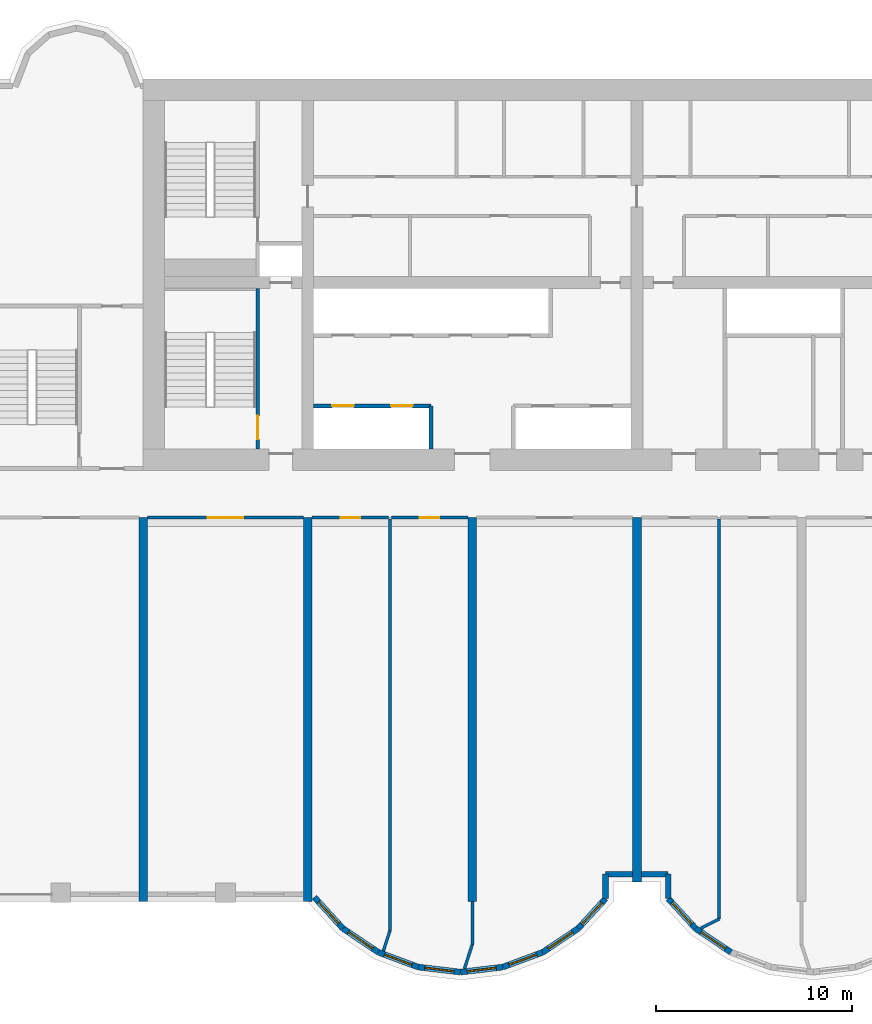
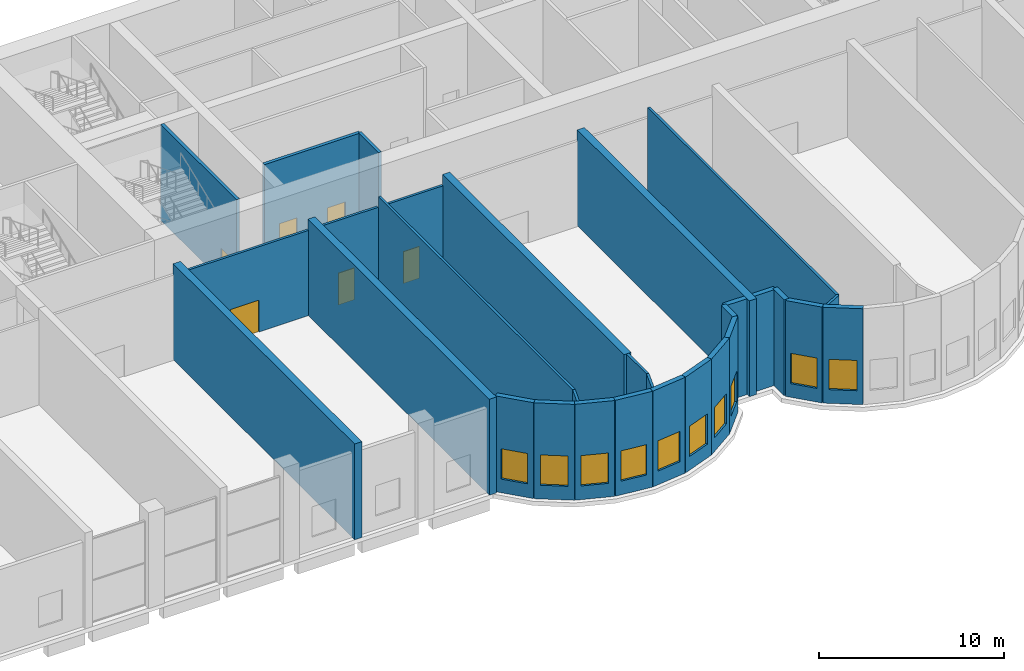
# One storey, part 7 of 15: 30 walls, 10 windows, 6 doors, 16 openings.
"""IFC4 building model written with IfcOpenShell, lengths in metres."""

from ifc_helpers import new_model, si_unit, direction, frame, frame_2d, origin, place, context, subcontext, project, spatial, rectangle, extrude, source, transform, mapped, material, layer, layer_set, type_object, element, fill, save


model = new_model("IFC4")

# Units and contexts
model_context = context("Model", 3, precision=1e-05, world=origin(), true_north=direction((0.0, 1.0)))
body_context = subcontext(model_context, "Body", "Model", "MODEL_VIEW")
ifc_project = project(units=[si_unit("LENGTHUNIT", "METRE"), si_unit("AREAUNIT", "SQUARE_METRE"), si_unit("VOLUMEUNIT", "CUBIC_METRE"), si_unit("PLANEANGLEUNIT", "RADIAN"), si_unit("MASSUNIT", "GRAM", prefix="KILO")], contexts=[model_context])

# Site, building, storey
site_placement = place(None, origin())
site = spatial("IfcSite", under=ifc_project, at=site_placement, CompositionType="ELEMENT")
building_placement = place(site_placement, origin())
building = spatial("IfcBuilding", under=site, at=building_placement, Name="Vanashikhar Sky Hotel", CompositionType="ELEMENT")
storey_placement = place(building_placement, frame((0.0, 0.0, 11.39990234375)))
storey = spatial("IfcBuildingStorey", under=building, at=storey_placement, Name="L02", CompositionType="ELEMENT", Elevation=11.39990234375)

# Walls
ifc_material_1 = material(Name="Concrete M80", Category="concrete")
ifc_layer_1 = layer(ifc_material_1, 0.449951171875)
ifc_layer_set_1 = layer_set([ifc_layer_1], Name="RC shear wall 450 Concrete M80")
wall_type_1 = type_object("IfcWallType", Name="RC shear wall 450 Concrete M80", PredefinedType="SHEAR", material=ifc_layer_set_1)
shared_shape_1 = source(origin(), body_context, "Body", "SweptSolid", [
    extrude(rectangle(XDim=19.60009765625, YDim=0.449951171875, at=frame_2d((9.800048828125, 0.0))), origin(), (0.0, 0.0, 1.0), 6.320068359375),
])
for number, where, z_axis, x_axis, name in (
    (1, (25.199951171875, 0.0, 0.0), (0.0, 0.0, 1.0), (0.0, 1.0, 0.0), "CW-L02-XW04-1"),
    (2, (33.60009765625, 0.0, 0.0), (0.0, 0.0, 1.0), (0.0, 1.0, 0.0), "CW-L02-XW05-1"),
    (3, (42.0, 0.0, 0.0), (0.0, 0.0, 1.0), (0.0, 1.0, 0.0), "CW-L02-XW06-1"),
):
    element("IfcWall", number, at=place(storey_placement, frame(where, z_axis=z_axis, x_axis=x_axis)), inside=storey, type_object=wall_type_1, Name=name, PredefinedType="SHEAR", context=body_context, shape_type="MappedRepresentation", body=[
        mapped(shared_shape_1, transform((0.0, 0.0, 0.0), scale=1.0)),
    ])
shared_shape_2 = source(origin(), body_context, "Body", "SweptSolid", [
    extrude(rectangle(XDim=18.60009765625, YDim=0.449951171875, at=frame_2d((9.300048828125, 0.0))), origin(), (0.0, 0.0, 1.0), 6.320068359375),
])
wall_1_placement = place(storey_placement, frame((50.39990234375, 1.0, 0.0), z_axis=(0.0, 0.0, 1.0), x_axis=(0.0, 1.0, 0.0)))
element("IfcWall", 4, at=wall_1_placement, inside=storey, type_object=wall_type_1, Name="CW-L02-XW07-1", PredefinedType="SHEAR", context=body_context, shape_type="MappedRepresentation", body=[
    mapped(shared_shape_2, transform((0.0, 0.0, 0.0), scale=1.0)),
])
ifc_material_2 = material(Name="Concrete M50", Category="concrete")
ifc_layer_2 = layer(ifc_material_2, 0.300048828125)
ifc_layer_set_2 = layer_set([ifc_layer_2], Name="Lobe wall 300")
wall_type_2 = type_object("IfcWallType", Name="Lobe wall 300", PredefinedType="SOLIDWALL", material=ifc_layer_set_2)
shared_shape_3 = source(origin(), body_context, "Body", "SweptSolid", [
    extrude(rectangle(XDim=1.244384765625, YDim=0.300048828125, at=frame_2d((0.6220703125, 0.0))), origin(), (0.0, 0.0, 1.0), 6.320068359375),
])
for number, where, z_axis, x_axis, name in (
    (5, (48.800048828125, 0.155517578125, 0.0), (0.0, 0.0, 1.0), (0.0, 1.0, 0.0), "Groove wall"),
    (6, (52.0, 1.39990234375, 0.0), (0.0, 0.0, 1.0), (0.0, -1.0, 0.0), "Groove wall"),
):
    element("IfcWall", number, at=place(storey_placement, frame(where, z_axis=z_axis, x_axis=x_axis)), inside=storey, type_object=wall_type_2, Name=name, PredefinedType="SOLIDWALL", context=body_context, shape_type="MappedRepresentation", body=[
        mapped(shared_shape_3, transform((0.0, 0.0, 0.0), scale=1.0)),
    ])
shared_shape_4 = source(origin(), body_context, "Body", "SweptSolid", [
    extrude(rectangle(XDim=1.375, YDim=0.300048828125, at=frame_2d((0.6875, 0.0))), origin(), (0.0, 0.0, 1.0), 6.320068359375),
])
for number, where, z_axis, x_axis, name in (
    (7, (48.800048828125, 1.39990234375, 0.0), (0.0, 0.0, 1.0), (1.0, 0.0, 0.0), "Groove wall"),
    (8, (50.625, 1.39990234375, 0.0), (0.0, 0.0, 1.0), (1.0, 0.0, 0.0), "Groove wall"),
):
    element("IfcWall", number, at=place(storey_placement, frame(where, z_axis=z_axis, x_axis=x_axis)), inside=storey, type_object=wall_type_2, Name=name, PredefinedType="SOLIDWALL", context=body_context, shape_type="MappedRepresentation", body=[
        mapped(shared_shape_4, transform((0.0, 0.0, 0.0), scale=1.0)),
    ])

# Wall, opening, window
shared_shape_5 = source(origin(), body_context, "Body", "SweptSolid", [
    extrude(rectangle(XDim=2.066650390625, YDim=0.300048828125, at=frame_2d((1.033203125, 0.0))), origin(), (0.0, 0.0, 1.0), 6.320068359375),
])
wall_2_placement = place(storey_placement, frame((52.0, 0.155517578125, 0.0), z_axis=(0.0, 0.0, 1.0), x_axis=(0.675355439877, -0.737492393065, 0.0)))
wall_2 = element("IfcWall", 9, at=wall_2_placement, inside=storey, type_object=wall_type_2, Name="Lobe wall", PredefinedType="SOLIDWALL", context=body_context, shape_type="MappedRepresentation", body=[
    mapped(shared_shape_5, transform((0.0, 0.0, 0.0), scale=1.0)),
])
shared_shape_6 = source(origin(), body_context, "Body", "SweptSolid", [
    extrude(rectangle(XDim=1.5, YDim=2.0, at=frame_2d((0.75, 1.0))), frame((0.0, 0.16015625, 0.0), z_axis=(0.0, -1.0, 0.0), x_axis=(1.0, 0.0, 0.0)), (0.0, 0.0, 1.0), 0.320068359375),
])
opening_1_placement = place(wall_2_placement, frame((0.283203125, 0.0, 0.89990234375)))
opening_1 = element("IfcOpeningElement", 10, at=opening_1_placement, cuts=wall_2, Name="Opening WN-2", PredefinedType="OPENING", context=body_context, shape_type="MappedRepresentation", body=[
    mapped(shared_shape_6, transform((0.0, 0.0, 0.0), scale=1.0)),
])
ifc_material_3 = material(Name="Glass", Category="glass")
window_type = type_object("IfcWindowType", Name="Lobe window 1500 x 2000", PartitioningType="SINGLE_PANEL", PredefinedType="WINDOW", material=ifc_material_3)
shared_shape_7 = source(origin(), body_context, "Body", "SweptSolid", [
    extrude(rectangle(XDim=1.5, YDim=2.0, at=frame_2d((0.75, 1.0))), frame((0.0, 0.030029296875, 0.0), z_axis=(0.0, -1.0, 0.0), x_axis=(1.0, 0.0, 0.0)), (0.0, 0.0, 1.0), 0.06005859375),
])
window_1_placement = place(opening_1_placement, origin())
window_1 = element("IfcWindow", 11, at=window_1_placement, inside=storey, type_object=window_type, Name="Window WN-2", OverallHeight=2.0, OverallWidth=1.5, PartitioningType="SINGLE_PANEL", PredefinedType="WINDOW", context=body_context, shape_type="MappedRepresentation", body=[
    mapped(shared_shape_7, transform((0.0, 0.0, 0.0), scale=1.0)),
])
fill(opening_1, window_1)

wall_3_placement = place(storey_placement, frame((47.404296875, -1.36865234375, 0.0), z_axis=(0.0, 0.0, 1.0), x_axis=(0.675355439877, 0.737492393065, 0.0)))
wall_3 = element("IfcWall", 12, at=wall_3_placement, inside=storey, type_object=wall_type_2, Name="Lobe wall", PredefinedType="SOLIDWALL", context=body_context, shape_type="MappedRepresentation", body=[
    mapped(shared_shape_5, transform((0.0, 0.0, 0.0), scale=1.0)),
])
opening_2_placement = place(wall_3_placement, frame((0.283203125, 0.0, 0.89990234375)))
opening_2 = element("IfcOpeningElement", 13, at=opening_2_placement, cuts=wall_3, Name="Opening WN-2", PredefinedType="OPENING", context=body_context, shape_type="MappedRepresentation", body=[
    mapped(shared_shape_6, transform((0.0, 0.0, 0.0), scale=1.0)),
])
window_2_placement = place(opening_2_placement, origin())
window_2 = element("IfcWindow", 14, at=window_2_placement, inside=storey, type_object=window_type, Name="Window WN-2", OverallHeight=2.0, OverallWidth=1.5, PartitioningType="SINGLE_PANEL", PredefinedType="WINDOW", context=body_context, shape_type="MappedRepresentation", body=[
    mapped(shared_shape_7, transform((0.0, 0.0, 0.0), scale=1.0)),
])
fill(opening_2, window_2)

shared_shape_8 = source(origin(), body_context, "Body", "SweptSolid", [
    extrude(rectangle(XDim=2.17578125, YDim=0.300048828125, at=frame_2d((1.087890625, 0.0))), origin(), (0.0, 0.0, 1.0), 6.320068359375),
])
wall_4_placement = place(storey_placement, frame((53.395751953125, -1.36865234375, 0.0), z_axis=(0.0, 0.0, 1.0), x_axis=(0.829590746428, -0.558371913192, 0.0)))
wall_4 = element("IfcWall", 15, at=wall_4_placement, inside=storey, type_object=wall_type_2, Name="Lobe wall", PredefinedType="SOLIDWALL", context=body_context, shape_type="MappedRepresentation", body=[
    mapped(shared_shape_8, transform((0.0, 0.0, 0.0), scale=1.0)),
])
opening_3_placement = place(wall_4_placement, frame((0.337890625, 0.0, 0.89990234375)))
opening_3 = element("IfcOpeningElement", 16, at=opening_3_placement, cuts=wall_4, Name="Opening WN-2", PredefinedType="OPENING", context=body_context, shape_type="MappedRepresentation", body=[
    mapped(shared_shape_6, transform((0.0, 0.0, 0.0), scale=1.0)),
])
window_3_placement = place(opening_3_placement, origin())
window_3 = element("IfcWindow", 17, at=window_3_placement, inside=storey, type_object=window_type, Name="Window WN-2", OverallHeight=2.0, OverallWidth=1.5, PartitioningType="SINGLE_PANEL", PredefinedType="WINDOW", context=body_context, shape_type="MappedRepresentation", body=[
    mapped(shared_shape_7, transform((0.0, 0.0, 0.0), scale=1.0)),
])
fill(opening_3, window_3)

wall_5_placement = place(storey_placement, frame((35.395751953125, -1.36865234375, 0.0), z_axis=(0.0, 0.0, 1.0), x_axis=(0.829590746428, -0.558371913192, 0.0)))
wall_5 = element("IfcWall", 18, at=wall_5_placement, inside=storey, type_object=wall_type_2, Name="Lobe wall", PredefinedType="SOLIDWALL", context=body_context, shape_type="MappedRepresentation", body=[
    mapped(shared_shape_8, transform((0.0, 0.0, 0.0), scale=1.0)),
])
opening_4_placement = place(wall_5_placement, frame((0.337890625, 0.0, 0.89990234375)))
opening_4 = element("IfcOpeningElement", 19, at=opening_4_placement, cuts=wall_5, Name="Opening WN-2", PredefinedType="OPENING", context=body_context, shape_type="MappedRepresentation", body=[
    mapped(shared_shape_6, transform((0.0, 0.0, 0.0), scale=1.0)),
])
window_4_placement = place(opening_4_placement, origin())
window_4 = element("IfcWindow", 20, at=window_4_placement, inside=storey, type_object=window_type, Name="Window WN-2", OverallHeight=2.0, OverallWidth=1.5, PartitioningType="SINGLE_PANEL", PredefinedType="WINDOW", context=body_context, shape_type="MappedRepresentation", body=[
    mapped(shared_shape_7, transform((0.0, 0.0, 0.0), scale=1.0)),
])
fill(opening_4, window_4)

wall_6_placement = place(storey_placement, frame((37.20068359375, -2.58349609375, 0.0), z_axis=(0.0, 0.0, 1.0), x_axis=(0.93754555999, -0.347862505801, 0.0)))
wall_6 = element("IfcWall", 21, at=wall_6_placement, inside=storey, type_object=wall_type_2, Name="Lobe wall", PredefinedType="SOLIDWALL", context=body_context, shape_type="MappedRepresentation", body=[
    mapped(shared_shape_8, transform((0.0, 0.0, 0.0), scale=1.0)),
])
opening_5_placement = place(wall_6_placement, frame((0.337890625, 0.0, 0.89990234375)))
opening_5 = element("IfcOpeningElement", 22, at=opening_5_placement, cuts=wall_6, Name="Opening WN-2", PredefinedType="OPENING", context=body_context, shape_type="MappedRepresentation", body=[
    mapped(shared_shape_6, transform((0.0, 0.0, 0.0), scale=1.0)),
])
window_5_placement = place(opening_5_placement, origin())
window_5 = element("IfcWindow", 23, at=window_5_placement, inside=storey, type_object=window_type, Name="Window WN-2", OverallHeight=2.0, OverallWidth=1.5, PartitioningType="SINGLE_PANEL", PredefinedType="WINDOW", context=body_context, shape_type="MappedRepresentation", body=[
    mapped(shared_shape_7, transform((0.0, 0.0, 0.0), scale=1.0)),
])
fill(opening_5, window_5)

wall_7_placement = place(storey_placement, frame((45.59912109375, -2.58349609375, 0.0), z_axis=(0.0, 0.0, 1.0), x_axis=(0.829625727223, 0.558319937607, 0.0)))
wall_7 = element("IfcWall", 24, at=wall_7_placement, inside=storey, type_object=wall_type_2, Name="Lobe wall", PredefinedType="SOLIDWALL", context=body_context, shape_type="MappedRepresentation", body=[
    mapped(shared_shape_8, transform((0.0, 0.0, 0.0), scale=1.0)),
])
opening_6_placement = place(wall_7_placement, frame((0.337890625, 0.0, 0.89990234375)))
opening_6 = element("IfcOpeningElement", 25, at=opening_6_placement, cuts=wall_7, Name="Opening WN-2", PredefinedType="OPENING", context=body_context, shape_type="MappedRepresentation", body=[
    mapped(shared_shape_6, transform((0.0, 0.0, 0.0), scale=1.0)),
])
window_6_placement = place(opening_6_placement, origin())
window_6 = element("IfcWindow", 26, at=window_6_placement, inside=storey, type_object=window_type, Name="Window WN-2", OverallHeight=2.0, OverallWidth=1.5, PartitioningType="SINGLE_PANEL", PredefinedType="WINDOW", context=body_context, shape_type="MappedRepresentation", body=[
    mapped(shared_shape_7, transform((0.0, 0.0, 0.0), scale=1.0)),
])
fill(opening_6, window_6)

shared_shape_9 = source(origin(), body_context, "Body", "SweptSolid", [
    extrude(rectangle(XDim=2.174560546875, YDim=0.300048828125, at=frame_2d((1.08740234375, 0.0))), origin(), (0.0, 0.0, 1.0), 6.320068359375),
])
wall_8_placement = place(storey_placement, frame((39.240478515625, -3.34033203125, 0.0), z_axis=(0.0, 0.0, 1.0), x_axis=(0.993001132889, -0.118104826659, 0.0)))
wall_8 = element("IfcWall", 27, at=wall_8_placement, inside=storey, type_object=wall_type_2, Name="Lobe wall", PredefinedType="SOLIDWALL", context=body_context, shape_type="MappedRepresentation", body=[
    mapped(shared_shape_9, transform((0.0, 0.0, 0.0), scale=1.0)),
])
opening_7_placement = place(wall_8_placement, frame((0.33740234375, 0.0, 0.89990234375)))
opening_7 = element("IfcOpeningElement", 28, at=opening_7_placement, cuts=wall_8, Name="Opening WN-2", PredefinedType="OPENING", context=body_context, shape_type="MappedRepresentation", body=[
    mapped(shared_shape_6, transform((0.0, 0.0, 0.0), scale=1.0)),
])
window_7_placement = place(opening_7_placement, origin())
window_7 = element("IfcWindow", 29, at=window_7_placement, inside=storey, type_object=window_type, Name="Window WN-2", OverallHeight=2.0, OverallWidth=1.5, PartitioningType="SINGLE_PANEL", PredefinedType="WINDOW", context=body_context, shape_type="MappedRepresentation", body=[
    mapped(shared_shape_7, transform((0.0, 0.0, 0.0), scale=1.0)),
])
fill(opening_7, window_7)

shared_shape_10 = source(origin(), body_context, "Body", "SweptSolid", [
    extrude(rectangle(XDim=2.1748046875, YDim=0.300048828125, at=frame_2d((1.08740234375, 0.0))), origin(), (0.0, 0.0, 1.0), 6.320068359375),
])
wall_9_placement = place(storey_placement, frame((41.39990234375, -3.59716796875, 0.0), z_axis=(0.0, 0.0, 1.0), x_axis=(0.993002698611, 0.118091661648, 0.0)))
wall_9 = element("IfcWall", 30, at=wall_9_placement, inside=storey, type_object=wall_type_2, Name="Lobe wall", PredefinedType="SOLIDWALL", context=body_context, shape_type="MappedRepresentation", body=[
    mapped(shared_shape_10, transform((0.0, 0.0, 0.0), scale=1.0)),
])
opening_8_placement = place(wall_9_placement, frame((0.33740234375, 0.0, 0.89990234375)))
opening_8 = element("IfcOpeningElement", 31, at=opening_8_placement, cuts=wall_9, Name="Opening WN-2", PredefinedType="OPENING", context=body_context, shape_type="MappedRepresentation", body=[
    mapped(shared_shape_6, transform((0.0, 0.0, 0.0), scale=1.0)),
])
window_8_placement = place(opening_8_placement, origin())
window_8 = element("IfcWindow", 32, at=window_8_placement, inside=storey, type_object=window_type, Name="Window WN-2", OverallHeight=2.0, OverallWidth=1.5, PartitioningType="SINGLE_PANEL", PredefinedType="WINDOW", context=body_context, shape_type="MappedRepresentation", body=[
    mapped(shared_shape_7, transform((0.0, 0.0, 0.0), scale=1.0)),
])
fill(opening_8, window_8)

shared_shape_11 = source(origin(), body_context, "Body", "SweptSolid", [
    extrude(rectangle(XDim=2.175537109375, YDim=0.300048828125, at=frame_2d((1.087890625, 0.0))), origin(), (0.0, 0.0, 1.0), 6.320068359375),
])
wall_10_placement = place(storey_placement, frame((43.5595703125, -3.34033203125, 0.0), z_axis=(0.0, 0.0, 1.0), x_axis=(0.937531979054, 0.347899106424, 0.0)))
wall_10 = element("IfcWall", 33, at=wall_10_placement, inside=storey, type_object=wall_type_2, Name="Lobe wall", PredefinedType="SOLIDWALL", context=body_context, shape_type="MappedRepresentation", body=[
    mapped(shared_shape_11, transform((0.0, 0.0, 0.0), scale=1.0)),
])
opening_9_placement = place(wall_10_placement, frame((0.337890625, 0.0, 0.89990234375)))
opening_9 = element("IfcOpeningElement", 34, at=opening_9_placement, cuts=wall_10, Name="Opening WN-2", PredefinedType="OPENING", context=body_context, shape_type="MappedRepresentation", body=[
    mapped(shared_shape_6, transform((0.0, 0.0, 0.0), scale=1.0)),
])
window_9_placement = place(opening_9_placement, origin())
window_9 = element("IfcWindow", 35, at=window_9_placement, inside=storey, type_object=window_type, Name="Window WN-2", OverallHeight=2.0, OverallWidth=1.5, PartitioningType="SINGLE_PANEL", PredefinedType="WINDOW", context=body_context, shape_type="MappedRepresentation", body=[
    mapped(shared_shape_7, transform((0.0, 0.0, 0.0), scale=1.0)),
])
fill(opening_9, window_9)

shared_shape_12 = source(origin(), body_context, "Body", "SweptSolid", [
    extrude(rectangle(XDim=2.162109375, YDim=0.300048828125, at=frame_2d((1.0810546875, 0.0))), origin(), (0.0, 0.0, 1.0), 6.320068359375),
])
wall_11_placement = place(storey_placement, frame((33.935546875, 0.225830078125, 0.0), z_axis=(0.0, 0.0, 1.0), x_axis=(0.67537173084, -0.737477474355, 0.0)))
wall_11 = element("IfcWall", 36, at=wall_11_placement, inside=storey, type_object=wall_type_2, Name="Lobe wall", PredefinedType="SOLIDWALL", context=body_context, shape_type="MappedRepresentation", body=[
    mapped(shared_shape_12, transform((0.0, 0.0, 0.0), scale=1.0)),
])
opening_10_placement = place(wall_11_placement, frame((0.3310546875, 0.0, 0.89990234375)))
opening_10 = element("IfcOpeningElement", 37, at=opening_10_placement, cuts=wall_11, Name="Opening WN-2", PredefinedType="OPENING", context=body_context, shape_type="MappedRepresentation", body=[
    mapped(shared_shape_6, transform((0.0, 0.0, 0.0), scale=1.0)),
])
window_10_placement = place(opening_10_placement, origin())
window_10 = element("IfcWindow", 38, at=window_10_placement, inside=storey, type_object=window_type, Name="Window WN-2", OverallHeight=2.0, OverallWidth=1.5, PartitioningType="SINGLE_PANEL", PredefinedType="WINDOW", context=body_context, shape_type="MappedRepresentation", body=[
    mapped(shared_shape_7, transform((0.0, 0.0, 0.0), scale=1.0)),
])
fill(opening_10, window_10)

# Wall, openings, doors
ifc_material_4 = material(Name="Concrete M40", Category="concrete")
ifc_layer_3 = layer(ifc_material_4, 0.199951171875)
ifc_layer_set_3 = layer_set([ifc_layer_3], Name="Shaft wall 200")
wall_type_3 = type_object("IfcWallType", Name="Shaft wall 200", PredefinedType="SOLIDWALL", material=ifc_layer_set_3)
shared_shape_13 = source(origin(), body_context, "Body", "SweptSolid", [
    extrude(rectangle(XDim=6.0, YDim=0.199951171875, at=frame_2d((3.0, 0.0))), origin(), (0.0, 0.0, 1.0), 6.320068359375),
])
wall_12_placement = place(storey_placement, frame((33.89990234375, 25.300048828125, 0.0), z_axis=(0.0, 0.0, 1.0), x_axis=(1.0, 0.0, 0.0)))
wall_12 = element("IfcWall", 39, at=wall_12_placement, inside=storey, type_object=wall_type_3, Name="Shaft wall 200", PredefinedType="SOLIDWALL", context=body_context, shape_type="MappedRepresentation", body=[
    mapped(shared_shape_13, transform((0.0, 0.0, 0.0), scale=1.0)),
])
shared_shape_14 = source(origin(), body_context, "Body", "SweptSolid", [
    extrude(rectangle(XDim=1.10009765625, YDim=2.10009765625, at=frame_2d((0.550048828125, 1.050048828125))), frame((0.0, 0.10986328125, 0.0), z_axis=(0.0, -1.0, 0.0), x_axis=(1.0, 0.0, 0.0)), (0.0, 0.0, 1.0), 0.219970703125),
])
opening_11_placement = place(wall_12_placement, frame((0.949951171875, 0.0, 0.0)))
opening_11 = element("IfcOpeningElement", 40, at=opening_11_placement, cuts=wall_12, Name="Opening LD", PredefinedType="OPENING", context=body_context, shape_type="MappedRepresentation", body=[
    mapped(shared_shape_14, transform((0.0, 0.0, 0.0), scale=1.0)),
])
opening_12_placement = place(wall_12_placement, frame((3.949951171875, 0.0, 0.0)))
opening_12 = element("IfcOpeningElement", 41, at=opening_12_placement, cuts=wall_12, Name="Opening LD", PredefinedType="OPENING", context=body_context, shape_type="MappedRepresentation", body=[
    mapped(shared_shape_14, transform((0.0, 0.0, 0.0), scale=1.0)),
])
ifc_material_5 = material(Name="Stainless steel", Category="steel")
door_type_1 = type_object("IfcDoorType", Name="Lift landing door 1100", OperationType="NOTDEFINED", PredefinedType="DOOR", material=ifc_material_5)
shared_shape_15 = source(origin(), body_context, "Body", "SweptSolid", [
    extrude(rectangle(XDim=1.10009765625, YDim=2.10009765625, at=frame_2d((0.550048828125, 1.050048828125))), frame((0.0, 0.02490234375, 0.0), z_axis=(0.0, -1.0, 0.0), x_axis=(1.0, 0.0, 0.0)), (0.0, 0.0, 1.0), 0.050048828125),
])
door_1_placement = place(opening_11_placement, origin())
door_1 = element("IfcDoor", 42, at=door_1_placement, inside=storey, type_object=door_type_1, Name="Lift landing door 1100", OperationType="SLIDING_TO_LEFT", OverallHeight=2.10009765625, OverallWidth=1.10009765625, PredefinedType="DOOR", context=body_context, shape_type="MappedRepresentation", body=[
    mapped(shared_shape_15, transform((0.0, 0.0, 0.0), scale=1.0)),
])
fill(opening_11, door_1)
door_2_placement = place(opening_12_placement, origin())
door_2 = element("IfcDoor", 43, at=door_2_placement, inside=storey, type_object=door_type_1, Name="Lift landing door 1100", OperationType="SLIDING_TO_RIGHT", OverallHeight=2.10009765625, OverallWidth=1.10009765625, PredefinedType="DOOR", context=body_context, shape_type="MappedRepresentation", body=[
    mapped(shared_shape_15, transform((0.0, 0.0, 0.0), scale=1.0)),
])
fill(opening_12, door_2)

# Wall
shared_shape_16 = source(origin(), body_context, "Body", "SweptSolid", [
    extrude(rectangle(XDim=2.199951171875, YDim=0.199951171875, at=frame_2d((1.10009765625, 0.0))), origin(), (0.0, 0.0, 1.0), 6.320068359375),
])
wall_13_placement = place(storey_placement, frame((39.89990234375, 23.10009765625, 0.0), z_axis=(0.0, 0.0, 1.0), x_axis=(0.0, 1.0, 0.0)))
element("IfcWall", 44, at=wall_13_placement, inside=storey, type_object=wall_type_3, Name="Shaft wall 200", PredefinedType="SOLIDWALL", context=body_context, shape_type="MappedRepresentation", body=[
    mapped(shared_shape_16, transform((0.0, 0.0, 0.0), scale=1.0)),
])

# Wall, opening, door
ifc_layer_4 = layer(ifc_material_2, 0.199951171875)
ifc_layer_set_4 = layer_set([ifc_layer_4], Name="Stair wall 200")
wall_type_4 = type_object("IfcWallType", Name="Stair wall 200", PredefinedType="SOLIDWALL", material=ifc_layer_set_4)
shared_shape_17 = source(origin(), body_context, "Body", "SweptSolid", [
    extrude(rectangle(XDim=8.199951171875, YDim=0.199951171875, at=frame_2d((4.10009765625, 0.0))), origin(), (0.0, 0.0, 1.0), 6.320068359375),
])
wall_14_placement = place(storey_placement, frame((31.050048828125, 23.10009765625, 0.0), z_axis=(0.0, 0.0, 1.0), x_axis=(0.0, 1.0, 0.0)))
wall_14 = element("IfcWall", 45, at=wall_14_placement, inside=storey, type_object=wall_type_4, Name="Stair wall 200", PredefinedType="SOLIDWALL", context=body_context, shape_type="MappedRepresentation", body=[
    mapped(shared_shape_17, transform((0.0, 0.0, 0.0), scale=1.0)),
])
shared_shape_18 = source(origin(), body_context, "Body", "SweptSolid", [
    extrude(rectangle(XDim=1.199951171875, YDim=2.10009765625, at=frame_2d((0.60009765625, 1.050048828125))), frame((0.0, 0.10986328125, 0.0), z_axis=(0.0, -1.0, 0.0), x_axis=(1.0, 0.0, 0.0)), (0.0, 0.0, 1.0), 0.219970703125),
])
opening_13_placement = place(wall_14_placement, frame((0.5, 0.0, 0.0)))
opening_13 = element("IfcOpeningElement", 46, at=opening_13_placement, cuts=wall_14, Name="Opening DC-1", PredefinedType="OPENING", context=body_context, shape_type="MappedRepresentation", body=[
    mapped(shared_shape_18, transform((0.0, 0.0, 0.0), scale=1.0)),
])
ifc_material_6 = material(Name="Steel", Category="steel")
door_type_2 = type_object("IfcDoorType", Name="Stair door 1200 FD120", OperationType="NOTDEFINED", PredefinedType="DOOR", material=ifc_material_6)
shared_shape_19 = source(origin(), body_context, "Body", "SweptSolid", [
    extrude(rectangle(XDim=1.199951171875, YDim=2.10009765625, at=frame_2d((0.60009765625, 1.050048828125))), frame((0.0, 0.02490234375, 0.0), z_axis=(0.0, -1.0, 0.0), x_axis=(1.0, 0.0, 0.0)), (0.0, 0.0, 1.0), 0.050048828125),
])
door_3_placement = place(opening_13_placement, origin())
door_3 = element("IfcDoor", 47, at=door_3_placement, inside=storey, type_object=door_type_2, Name="Stair door 1200 FD120", OperationType="SINGLE_SWING_RIGHT", OverallHeight=2.10009765625, OverallWidth=1.199951171875, PredefinedType="DOOR", context=body_context, shape_type="MappedRepresentation", body=[
    mapped(shared_shape_19, transform((0.0, 0.0, 0.0), scale=1.0)),
])
fill(opening_13, door_3)

ifc_material_7 = material(Name="Gypsum plasterboard partition")
ifc_layer_5 = layer(ifc_material_7, 0.14990234375)
ifc_layer_set_5 = layer_set([ifc_layer_5], Name="Corridor and demising partition 150")
wall_type_5 = type_object("IfcWallType", Name="Corridor and demising partition 150", PredefinedType="PARTITIONING", material=ifc_layer_set_5)
shared_shape_20 = source(origin(), body_context, "Body", "SweptSolid", [
    extrude(rectangle(XDim=7.949951171875, YDim=0.14990234375, at=frame_2d((3.97509765625, 0.0))), origin(), (0.0, 0.0, 1.0), 5.6201171875),
])
wall_15_placement = place(storey_placement, frame((25.425048828125, 19.60009765625, 0.0), z_axis=(0.0, 0.0, 1.0), x_axis=(1.0, 0.0, 0.0)))
wall_15 = element("IfcWall", 48, at=wall_15_placement, inside=storey, type_object=wall_type_5, Name="W-L02-PW004", PredefinedType="PARTITIONING", context=body_context, shape_type="MappedRepresentation", body=[
    mapped(shared_shape_20, transform((0.0, 0.0, 0.0), scale=1.0)),
])
shared_shape_21 = source(origin(), body_context, "Body", "SweptSolid", [
    extrude(rectangle(XDim=1.800048828125, YDim=2.10009765625, at=frame_2d((0.89990234375, 1.050048828125))), frame((0.0, 0.0849609375, 0.0), z_axis=(0.0, -1.0, 0.0), x_axis=(1.0, 0.0, 0.0)), (0.0, 0.0, 1.0), 0.169921875),
])
opening_14_placement = place(wall_15_placement, frame((3.074951171875, 0.0, 0.0)))
opening_14 = element("IfcOpeningElement", 49, at=opening_14_placement, cuts=wall_15, Name="Opening D-03", PredefinedType="OPENING", context=body_context, shape_type="MappedRepresentation", body=[
    mapped(shared_shape_21, transform((0.0, 0.0, 0.0), scale=1.0)),
])
ifc_material_8 = material(Name="Timber fire door", Category="wood")
door_type_3 = type_object("IfcDoorType", Name="Double leaf door 1800 FD30S", OperationType="NOTDEFINED", PredefinedType="DOOR", material=ifc_material_8)
shared_shape_22 = source(origin(), body_context, "Body", "SweptSolid", [
    extrude(rectangle(XDim=1.800048828125, YDim=2.10009765625, at=frame_2d((0.89990234375, 1.050048828125))), frame((0.0, 0.02490234375, 0.0), z_axis=(0.0, -1.0, 0.0), x_axis=(1.0, 0.0, 0.0)), (0.0, 0.0, 1.0), 0.050048828125),
])
door_4_placement = place(opening_14_placement, origin())
door_4 = element("IfcDoor", 50, at=door_4_placement, inside=storey, type_object=door_type_3, Name="D-L02-004", OperationType="DOUBLE_DOOR_SINGLE_SWING", OverallHeight=2.10009765625, OverallWidth=1.800048828125, PredefinedType="DOOR", context=body_context, shape_type="MappedRepresentation", body=[
    mapped(shared_shape_22, transform((0.0, 0.0, 0.0), scale=1.0)),
])
fill(opening_14, door_4)

shared_shape_23 = source(origin(), body_context, "Body", "SweptSolid", [
    extrude(rectangle(XDim=3.900146484375, YDim=0.14990234375, at=frame_2d((1.9501953125, 0.0))), origin(), (0.0, 0.0, 1.0), 5.6201171875),
])
wall_16_placement = place(storey_placement, frame((33.824951171875, 19.60009765625, 0.0), z_axis=(0.0, 0.0, 1.0), x_axis=(1.0, 0.0, 0.0)))
wall_16 = element("IfcWall", 51, at=wall_16_placement, inside=storey, type_object=wall_type_5, Name="W-L02-PW005", PredefinedType="PARTITIONING", context=body_context, shape_type="MappedRepresentation", body=[
    mapped(shared_shape_23, transform((0.0, 0.0, 0.0), scale=1.0)),
])
shared_shape_24 = source(origin(), body_context, "Body", "SweptSolid", [
    extrude(rectangle(XDim=1.0, YDim=2.10009765625, at=frame_2d((0.5, 1.050048828125))), frame((0.0, 0.0849609375, 0.0), z_axis=(0.0, -1.0, 0.0), x_axis=(1.0, 0.0, 0.0)), (0.0, 0.0, 1.0), 0.169921875),
])
opening_15_placement = place(wall_16_placement, frame((1.449951171875, 0.0, 0.0)))
opening_15 = element("IfcOpeningElement", 52, at=opening_15_placement, cuts=wall_16, Name="Opening D-01", PredefinedType="OPENING", context=body_context, shape_type="MappedRepresentation", body=[
    mapped(shared_shape_24, transform((0.0, 0.0, 0.0), scale=1.0)),
])
door_type_4 = type_object("IfcDoorType", Name="Guest entry door 1000 FD30S", OperationType="NOTDEFINED", PredefinedType="DOOR", material=ifc_material_8)
shared_shape_25 = source(origin(), body_context, "Body", "SweptSolid", [
    extrude(rectangle(XDim=1.0, YDim=2.10009765625, at=frame_2d((0.5, 1.050048828125))), frame((0.0, 0.02490234375, 0.0), z_axis=(0.0, -1.0, 0.0), x_axis=(1.0, 0.0, 0.0)), (0.0, 0.0, 1.0), 0.050048828125),
])
door_5_placement = place(opening_15_placement, origin())
door_5 = element("IfcDoor", 53, at=door_5_placement, inside=storey, type_object=door_type_4, Name="D-L02-005", OperationType="SINGLE_SWING_LEFT", OverallHeight=2.10009765625, OverallWidth=1.0, PredefinedType="DOOR", context=body_context, shape_type="MappedRepresentation", body=[
    mapped(shared_shape_25, transform((0.0, 0.0, 0.0), scale=1.0)),
])
fill(opening_15, door_5)

shared_shape_26 = source(origin(), body_context, "Body", "SweptSolid", [
    extrude(rectangle(XDim=3.89990234375, YDim=0.14990234375, at=frame_2d((1.949951171875, 0.0))), origin(), (0.0, 0.0, 1.0), 5.6201171875),
])
wall_17_placement = place(storey_placement, frame((37.875, 19.60009765625, 0.0), z_axis=(0.0, 0.0, 1.0), x_axis=(1.0, 0.0, 0.0)))
wall_17 = element("IfcWall", 54, at=wall_17_placement, inside=storey, type_object=wall_type_5, Name="W-L02-PW006", PredefinedType="PARTITIONING", context=body_context, shape_type="MappedRepresentation", body=[
    mapped(shared_shape_26, transform((0.0, 0.0, 0.0), scale=1.0)),
])
opening_16_placement = place(wall_17_placement, frame((1.449951171875, 0.0, 0.0)))
opening_16 = element("IfcOpeningElement", 55, at=opening_16_placement, cuts=wall_17, Name="Opening D-01", PredefinedType="OPENING", context=body_context, shape_type="MappedRepresentation", body=[
    mapped(shared_shape_24, transform((0.0, 0.0, 0.0), scale=1.0)),
])
door_6_placement = place(opening_16_placement, origin())
door_6 = element("IfcDoor", 56, at=door_6_placement, inside=storey, type_object=door_type_4, Name="D-L02-006", OperationType="SINGLE_SWING_RIGHT", OverallHeight=2.10009765625, OverallWidth=1.0, PredefinedType="DOOR", context=body_context, shape_type="MappedRepresentation", body=[
    mapped(shared_shape_25, transform((0.0, 0.0, 0.0), scale=1.0)),
])
fill(opening_16, door_6)

# Walls
shared_shape_27 = source(origin(), body_context, "Body", "SweptSolid", [
    extrude(rectangle(XDim=20.997802734375, YDim=0.14990234375, at=frame_2d((10.4990234375, 0.0))), origin(), (0.0, 0.0, 1.0), 6.320068359375),
])
wall_18_placement = place(storey_placement, frame((37.800048828125, -1.472900390625, 0.0), z_axis=(0.0, 0.0, 1.0), x_axis=(0.0, 1.0, 0.0)))
element("IfcWall", 57, at=wall_18_placement, inside=storey, type_object=wall_type_5, Name="W-L02-PW007", PredefinedType="PARTITIONING", context=body_context, shape_type="MappedRepresentation", body=[
    mapped(shared_shape_27, transform((0.0, 0.0, 0.0), scale=1.0)),
])
shared_shape_28 = source(origin(), body_context, "Body", "SweptSolid", [
    extrude(rectangle(XDim=20.406005859375, YDim=0.14990234375, at=frame_2d((10.203125, 0.0))), origin(), (0.0, 0.0, 1.0), 6.320068359375),
])
wall_19_placement = place(storey_placement, frame((54.60009765625, -0.881103515625, 0.0), z_axis=(0.0, 0.0, 1.0), x_axis=(0.0, 1.0, 0.0)))
element("IfcWall", 58, at=wall_19_placement, inside=storey, type_object=wall_type_5, Name="W-L02-PW011", PredefinedType="PARTITIONING", context=body_context, shape_type="MappedRepresentation", body=[
    mapped(shared_shape_28, transform((0.0, 0.0, 0.0), scale=1.0)),
])
shared_shape_29 = source(origin(), body_context, "Body", "SweptSolid", [
    extrude(rectangle(XDim=2.177978515625, YDim=0.14990234375, at=frame_2d((1.0888671875, 0.0))), origin(), (0.0, 0.0, 1.0), 6.320068359375),
])
wall_20_placement = place(storey_placement, frame((42.0, -2.177978515625, 0.0), z_axis=(0.0, 0.0, 1.0), x_axis=(0.0, 1.0, 0.0)))
element("IfcWall", 59, at=wall_20_placement, inside=storey, type_object=wall_type_5, Name="W-L02-PW023", PredefinedType="PARTITIONING", context=body_context, shape_type="MappedRepresentation", body=[
    mapped(shared_shape_29, transform((0.0, 0.0, 0.0), scale=1.0)),
])
shared_shape_30 = source(origin(), body_context, "Body", "SweptSolid", [
    extrude(rectangle(XDim=1.100830078125, YDim=0.14990234375, at=frame_2d((0.55029296875, 0.0))), origin(), (0.0, 0.0, 1.0), 6.320068359375),
])
wall_21_placement = place(storey_placement, frame((37.45703125, -2.51904296875, 0.0), z_axis=(0.0, 0.0, 1.0), x_axis=(0.311567081539, 0.950224159712, 0.0)))
element("IfcWall", 60, at=wall_21_placement, inside=storey, type_object=wall_type_5, Name="W-L02-PW007B0", PredefinedType="PARTITIONING", context=body_context, shape_type="MappedRepresentation", body=[
    mapped(shared_shape_30, transform((0.0, 0.0, 0.0), scale=1.0)),
])
shared_shape_31 = source(origin(), body_context, "Body", "SweptSolid", [
    extrude(rectangle(XDim=1.057861328125, YDim=0.14990234375, at=frame_2d((0.52880859375, 0.0))), origin(), (0.0, 0.0, 1.0), 6.320068359375),
])
wall_22_placement = place(storey_placement, frame((53.659912109375, -1.365966796875, 0.0), z_axis=(0.0, 0.0, 1.0), x_axis=(0.888772319209, 0.458348955063, 0.0)))
element("IfcWall", 61, at=wall_22_placement, inside=storey, type_object=wall_type_5, Name="W-L02-PW011B0", PredefinedType="PARTITIONING", context=body_context, shape_type="MappedRepresentation", body=[
    mapped(shared_shape_31, transform((0.0, 0.0, 0.0), scale=1.0)),
])
shared_shape_32 = source(origin(), body_context, "Body", "SweptSolid", [
    extrude(rectangle(XDim=1.308349609375, YDim=0.14990234375, at=frame_2d((0.654296875, 0.0))), origin(), (0.0, 0.0, 1.0), 6.320068359375),
])
wall_23_placement = place(storey_placement, frame((41.597900390625, -3.423095703125, 0.0), z_axis=(0.0, 0.0, 1.0), x_axis=(0.307313512187, 0.951608325535, 0.0)))
element("IfcWall", 62, at=wall_23_placement, inside=storey, type_object=wall_type_5, Name="W-L02-PW023B0", PredefinedType="PARTITIONING", context=body_context, shape_type="MappedRepresentation", body=[
    mapped(shared_shape_32, transform((0.0, 0.0, 0.0), scale=1.0)),
])

save(model, "model.ifc")
